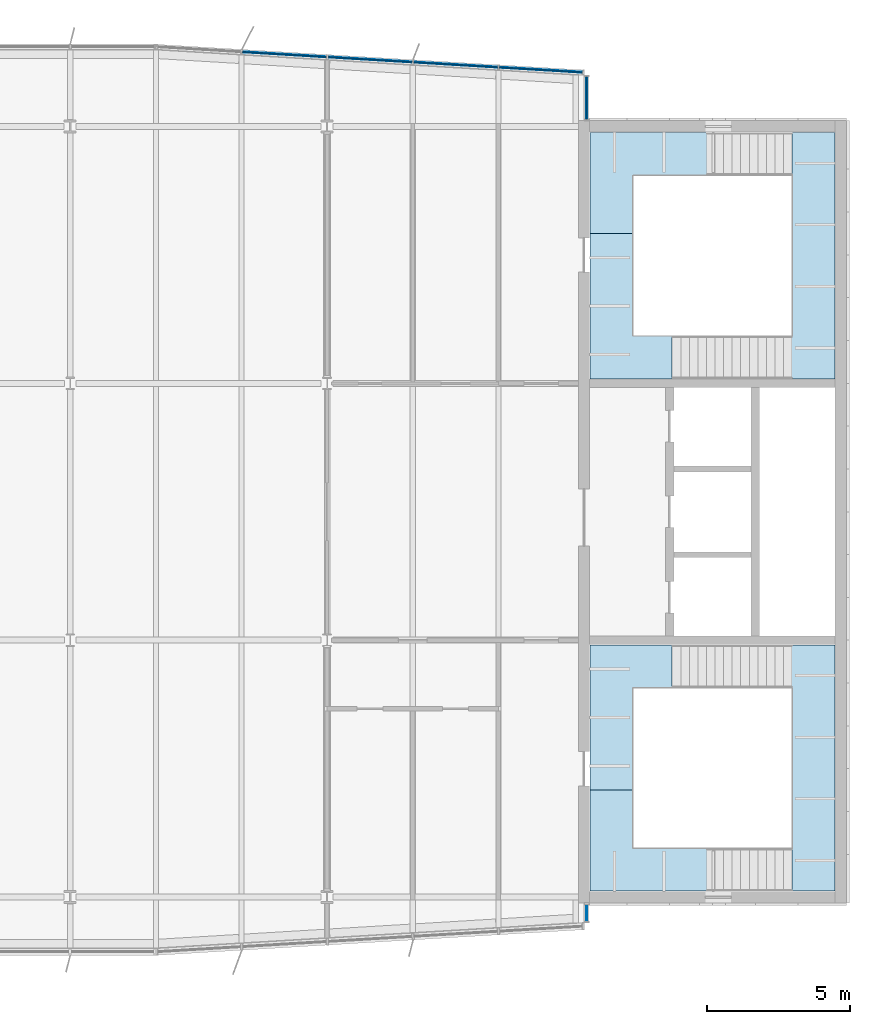
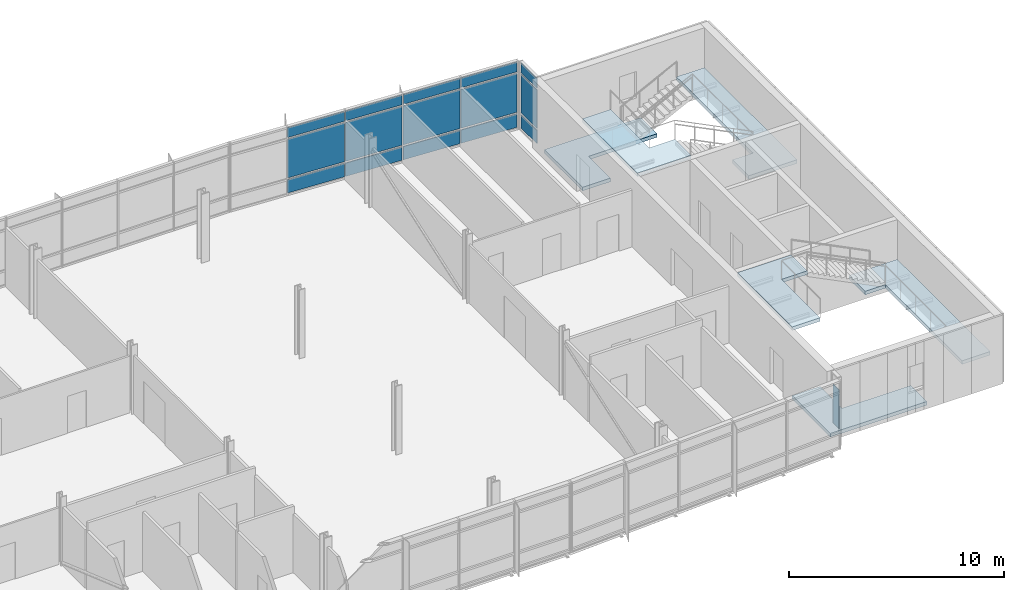
# One storey, part 12 of 20: 16 plates, 6 slabs, 5 elements without a shape of their own.
"""IFC4 building model written with IfcOpenShell, lengths in metres."""

from ifc_helpers import new_model, si_unit, direction, frame, origin, origin_2d, place, context, subcontext, project, spatial, polyline, rectangle, outline, extrude, material, layer, layer_set, type_object, element, aggregate, save


model = new_model("IFC4")

# Units and contexts
model_context = context("Model", 3, precision=1e-05, world=origin(), true_north=direction((0.0, 1.0)))
body_context = subcontext(model_context, "Body", "Model", "MODEL_VIEW")
ifc_project = project(units=[si_unit("LENGTHUNIT", "METRE"), si_unit("AREAUNIT", "SQUARE_METRE"), si_unit("VOLUMEUNIT", "CUBIC_METRE"), si_unit("PLANEANGLEUNIT", "RADIAN"), si_unit("MASSUNIT", "GRAM", prefix="KILO")], contexts=[model_context])

# Site, building, storey
site_placement = place(None, origin())
site = spatial("IfcSite", under=ifc_project, at=site_placement, CompositionType="ELEMENT")
building_placement = place(site_placement, origin())
building = spatial("IfcBuilding", under=site, at=building_placement, Name="Azimuth Sports and Learning Centre", CompositionType="ELEMENT")
storey_placement = place(building_placement, frame((0.0, 0.0, 44.10009765625)))
storey = spatial("IfcBuildingStorey", under=building, at=storey_placement, Name="L09", CompositionType="ELEMENT", Elevation=44.10009765625)

# Stair, slabs
ifc_material_1 = material(Name="Concrete C32/40", Category="concrete")
stair_type = type_object("IfcStairType", Name="Square-well stair core 3900 storey", PredefinedType="THREE_QUARTER_TURN_STAIR", material=ifc_material_1)
stair_1_placement = place(storey_placement, origin())
stair_1 = element("IfcStair", 1, at=stair_1_placement, inside=storey, type_object=stair_type, Name="Stair E1 L09-L10", PredefinedType="THREE_QUARTER_TURN_STAIR")
ifc_material_2 = material(Name="Concrete C32/40", Category="concrete")
ifc_layer_1 = layer(ifc_material_2, 0.199951171875)
ifc_layer_set_1 = layer_set([ifc_layer_1], Name="Concrete C32/40")
slab_type = type_object("IfcSlabType", Name="Concrete stair landing", PredefinedType="LANDING", material=ifc_layer_set_1)
slab_1_placement = place(storey_placement, frame((0.0, 0.0, -0.2001953125)))
slab_1 = element("IfcSlab", 2, at=slab_1_placement, type_object=slab_type, Name="Stair E1 L09 landing 1", PredefinedType="LANDING", context=body_context, shape_type="SweptSolid", body=[
    extrude(outline(polyline([(113.389892578125, 91.7099609375), (109.7099609375, 91.7099609375), (109.7099609375, 93.75), (108.2099609375, 93.75), (108.2099609375, 90.2099609375), (113.389892578125, 90.2099609375), (113.389892578125, 91.7099609375)])), origin(), (0.0, 0.0, 1.0), 0.2001953125),
])
slab_2_placement = place(storey_placement, frame((0.0, 0.0, 1.449951171875)))
slab_2 = element("IfcSlab", 3, at=slab_2_placement, type_object=slab_type, Name="Stair E1 L09 landing 2", PredefinedType="LANDING", context=body_context, shape_type="SweptSolid", body=[
    extrude(outline(polyline([(115.2900390625, 91.7099609375), (115.289306640625, 91.7099609375), (115.289306640625, 90.2099609375), (116.7900390625, 90.2099609375), (116.7900390625, 98.840087890625), (114.18994140625, 98.840087890625), (114.18994140625, 97.340087890625), (115.2900390625, 97.340087890625), (115.2900390625, 91.7099609375)])), origin(), (0.0, 0.0, 1.0), 0.199951171875),
])
slab_3_placement = place(storey_placement, frame((0.0, 0.0, 3.699951171875)))
slab_3 = element("IfcSlab", 4, at=slab_3_placement, type_object=slab_type, Name="Stair E1 L09 landing 3", PredefinedType="LANDING", context=body_context, shape_type="SweptSolid", body=[
    extrude(outline(polyline([(109.7099609375, 97.340087890625), (111.0908203125, 97.340087890625), (111.0908203125, 98.840087890625), (108.2099609375, 98.840087890625), (108.2099609375, 93.75), (109.7099609375, 93.75), (109.7099609375, 97.340087890625)])), origin(), (0.0, 0.0, 1.0), 0.199951171875),
])
aggregate(stair_1, [slab_1, slab_2, slab_3])

stair_2_placement = place(storey_placement, origin())
stair_2 = element("IfcStair", 5, at=stair_2_placement, inside=storey, type_object=stair_type, Name="Stair E2 L09-L10", PredefinedType="THREE_QUARTER_TURN_STAIR")
slab_4_placement = place(storey_placement, frame((0.0, 0.0, -0.2001953125)))
slab_4 = element("IfcSlab", 6, at=slab_4_placement, type_object=slab_type, Name="Stair E2 L09 landing 1", PredefinedType="LANDING", context=body_context, shape_type="SweptSolid", body=[
    extrude(outline(polyline([(108.2099609375, 116.7900390625), (108.2099609375, 113.25), (109.7099609375, 113.25), (109.7099609375, 115.2900390625), (113.389892578125, 115.2900390625), (113.389892578125, 116.7900390625), (108.2099609375, 116.7900390625)])), origin(), (0.0, 0.0, 1.0), 0.2001953125),
])
slab_5_placement = place(storey_placement, frame((0.0, 0.0, 1.449951171875)))
slab_5 = element("IfcSlab", 7, at=slab_5_placement, type_object=slab_type, Name="Stair E2 L09 landing 2", PredefinedType="LANDING", context=body_context, shape_type="SweptSolid", body=[
    extrude(outline(polyline([(115.2900390625, 115.2900390625), (115.2900390625, 109.659912109375), (114.18994140625, 109.659912109375), (114.18994140625, 108.159912109375), (116.7900390625, 108.159912109375), (116.7900390625, 116.7900390625), (115.289306640625, 116.7900390625), (115.289306640625, 115.2900390625), (115.2900390625, 115.2900390625)])), origin(), (0.0, 0.0, 1.0), 0.199951171875),
])
slab_6_placement = place(storey_placement, frame((0.0, 0.0, 3.699951171875)))
slab_6 = element("IfcSlab", 8, at=slab_6_placement, type_object=slab_type, Name="Stair E2 L09 landing 3", PredefinedType="LANDING", context=body_context, shape_type="SweptSolid", body=[
    extrude(outline(polyline([(109.7099609375, 109.659912109375), (109.7099609375, 113.25), (108.2099609375, 113.25), (108.2099609375, 108.159912109375), (111.0908203125, 108.159912109375), (111.0908203125, 109.659912109375), (109.7099609375, 109.659912109375)])), origin(), (0.0, 0.0, 1.0), 0.199951171875),
])
aggregate(stair_2, [slab_4, slab_5, slab_6])

# Curtain wall, plates
ifc_material_3 = material(Name="Aluminium and glass", Category="aluminium")
curtain_wall_type_1 = type_object("IfcCurtainWallType", Name="Curtain wall tower return 180", PredefinedType="NOTDEFINED", material=ifc_material_3)
curtain_wall_1_placement = place(storey_placement, origin())
curtain_wall_1 = element("IfcCurtainWall", 9, at=curtain_wall_1_placement, inside=storey, type_object=curtain_wall_type_1, Name="Curtain wall CW09-006", PredefinedType="NOTDEFINED")
ifc_material_4 = material(Name="Insulated aluminium panel", Category="aluminium")
ifc_layer_2 = layer(ifc_material_4, 0.050048828125)
ifc_layer_set_2 = layer_set([ifc_layer_2], Name="Insulated aluminium panel")
plate_type_1 = type_object("IfcPlateType", Name="Spandrel panel 50 mm", PredefinedType="CURTAIN_PANEL", material=ifc_layer_set_2)
plate_1_placement = place(storey_placement, frame((108.090087890625, 118.0, 0.099853515625), z_axis=(0.0, 0.0, 1.0), x_axis=(0.0, 1.0, 0.0)))
plate_1 = element("IfcPlate", 10, at=plate_1_placement, type_object=plate_type_1, Name="CW09-006 panel 1.1", PredefinedType="CURTAIN_PANEL", context=body_context, shape_type="SweptSolid", body=[
    extrude(rectangle(XDim=1.47998046875, YDim=0.050048828125, at=origin_2d()), origin(), (0.0, 0.0, 1.0), 0.75),
])
plate_2_placement = place(storey_placement, frame((108.090087890625, 118.0, 3.25), z_axis=(0.0, 0.0, 1.0), x_axis=(0.0, 1.0, 0.0)))
plate_2 = element("IfcPlate", 11, at=plate_2_placement, type_object=plate_type_1, Name="CW09-006 panel 1.3", PredefinedType="CURTAIN_PANEL", context=body_context, shape_type="SweptSolid", body=[
    extrude(rectangle(XDim=1.47998046875, YDim=0.050048828125, at=origin_2d()), origin(), (0.0, 0.0, 1.0), 0.550048828125),
])

ifc_material_5 = material(Name="Aluminium and glass", Category="aluminium")
curtain_wall_type_2 = type_object("IfcCurtainWallType", Name="Curtain wall tower north 180", PredefinedType="NOTDEFINED", material=ifc_material_5)
curtain_wall_2_placement = place(storey_placement, origin())
curtain_wall_2 = element("IfcCurtainWall", 12, at=curtain_wall_2_placement, inside=storey, type_object=curtain_wall_type_2, Name="Curtain wall CW09-007", PredefinedType="NOTDEFINED")
plate_3_placement = place(storey_placement, frame((106.490478515625, 118.980712890625, 0.099853515625), z_axis=(0.0, 0.0, 1.0), x_axis=(-0.998204863401, 0.059891991812, 0.0)))
plate_3 = element("IfcPlate", 13, at=plate_3_placement, type_object=plate_type_1, Name="CW09-007 panel 1.1", PredefinedType="CURTAIN_PANEL", context=body_context, shape_type="SweptSolid", body=[
    extrude(rectangle(XDim=2.915283203125, YDim=0.050048828125, at=origin_2d()), origin(), (0.0, 0.0, 1.0), 0.75),
])
plate_4_placement = place(storey_placement, frame((106.490478515625, 118.980712890625, 3.25), z_axis=(0.0, 0.0, 1.0), x_axis=(-0.998204863401, 0.059891991812, 0.0)))
plate_4 = element("IfcPlate", 14, at=plate_4_placement, type_object=plate_type_1, Name="CW09-007 panel 1.3", PredefinedType="CURTAIN_PANEL", context=body_context, shape_type="SweptSolid", body=[
    extrude(rectangle(XDim=2.915283203125, YDim=0.050048828125, at=origin_2d()), origin(), (0.0, 0.0, 1.0), 0.550048828125),
])
plate_5_placement = place(storey_placement, frame((103.50537109375, 119.159912109375, 0.099853515625), z_axis=(0.0, 0.0, 1.0), x_axis=(-0.998204863401, 0.059891991812, 0.0)))
plate_5 = element("IfcPlate", 15, at=plate_5_placement, type_object=plate_type_1, Name="CW09-007 panel 2.1", PredefinedType="CURTAIN_PANEL", context=body_context, shape_type="SweptSolid", body=[
    extrude(rectangle(XDim=2.9453125, YDim=0.050048828125, at=origin_2d()), origin(), (0.0, 0.0, 1.0), 0.75),
])
plate_6_placement = place(storey_placement, frame((103.50537109375, 119.159912109375, 3.25), z_axis=(0.0, 0.0, 1.0), x_axis=(-0.998204863401, 0.059891991812, 0.0)))
plate_6 = element("IfcPlate", 16, at=plate_6_placement, type_object=plate_type_1, Name="CW09-007 panel 2.3", PredefinedType="CURTAIN_PANEL", context=body_context, shape_type="SweptSolid", body=[
    extrude(rectangle(XDim=2.9453125, YDim=0.050048828125, at=origin_2d()), origin(), (0.0, 0.0, 1.0), 0.550048828125),
])
plate_7_placement = place(storey_placement, frame((100.50537109375, 119.33984375, 0.099853515625), z_axis=(0.0, 0.0, 1.0), x_axis=(-0.998204863401, 0.059891991812, 0.0)))
plate_7 = element("IfcPlate", 17, at=plate_7_placement, type_object=plate_type_1, Name="CW09-007 panel 3.1", PredefinedType="CURTAIN_PANEL", context=body_context, shape_type="SweptSolid", body=[
    extrude(rectangle(XDim=2.9453125, YDim=0.050048828125, at=origin_2d()), origin(), (0.0, 0.0, 1.0), 0.75),
])
plate_8_placement = place(storey_placement, frame((100.50537109375, 119.33984375, 3.25), z_axis=(0.0, 0.0, 1.0), x_axis=(-0.998204863401, 0.059891991812, 0.0)))
plate_8 = element("IfcPlate", 18, at=plate_8_placement, type_object=plate_type_1, Name="CW09-007 panel 3.3", PredefinedType="CURTAIN_PANEL", context=body_context, shape_type="SweptSolid", body=[
    extrude(rectangle(XDim=2.9453125, YDim=0.050048828125, at=origin_2d()), origin(), (0.0, 0.0, 1.0), 0.550048828125),
])
plate_9_placement = place(storey_placement, frame((97.50537109375, 119.519775390625, 0.099853515625), z_axis=(0.0, 0.0, 1.0), x_axis=(-0.998204863401, 0.059891991812, 0.0)))
plate_9 = element("IfcPlate", 19, at=plate_9_placement, type_object=plate_type_1, Name="CW09-007 panel 4.1", PredefinedType="CURTAIN_PANEL", context=body_context, shape_type="SweptSolid", body=[
    extrude(rectangle(XDim=2.9453125, YDim=0.050048828125, at=origin_2d()), origin(), (0.0, 0.0, 1.0), 0.75),
])
plate_10_placement = place(storey_placement, frame((97.50537109375, 119.519775390625, 3.25), z_axis=(0.0, 0.0, 1.0), x_axis=(-0.998204863401, 0.059891991812, 0.0)))
plate_10 = element("IfcPlate", 20, at=plate_10_placement, type_object=plate_type_1, Name="CW09-007 panel 4.3", PredefinedType="CURTAIN_PANEL", context=body_context, shape_type="SweptSolid", body=[
    extrude(rectangle(XDim=2.9453125, YDim=0.050048828125, at=origin_2d()), origin(), (0.0, 0.0, 1.0), 0.550048828125),
])

# Curtain wall, plate
curtain_wall_3_placement = place(storey_placement, origin())
curtain_wall_3 = element("IfcCurtainWall", 21, at=curtain_wall_3_placement, inside=storey, type_object=curtain_wall_type_1, Name="Curtain wall CW09-005", PredefinedType="NOTDEFINED")
ifc_material_6 = material(Name="Glass", Category="glass")
ifc_layer_3 = layer(ifc_material_6, 0.031982421875)
ifc_layer_set_3 = layer_set([ifc_layer_3], Name="Glass")
plate_type_2 = type_object("IfcPlateType", Name="Vision glass 32 mm", PredefinedType="CURTAIN_PANEL", material=ifc_layer_set_3)
plate_11_placement = place(storey_placement, frame((108.090087890625, 89.449951171875, 0.94970703125), z_axis=(0.0, 0.0, 1.0), x_axis=(0.0, 1.0, 0.0)))
plate_11 = element("IfcPlate", 22, at=plate_11_placement, type_object=plate_type_2, Name="CW09-005 panel 1.2", PredefinedType="CURTAIN_PANEL", context=body_context, shape_type="SweptSolid", body=[
    extrude(rectangle(XDim=0.580078125, YDim=0.031982421875, at=origin_2d()), origin(), (0.0, 0.0, 1.0), 2.199951171875),
])
aggregate(curtain_wall_3, [plate_11])

# Plate
plate_12_placement = place(storey_placement, frame((108.090087890625, 118.0, 0.94970703125), z_axis=(0.0, 0.0, 1.0), x_axis=(0.0, 1.0, 0.0)))
plate_12 = element("IfcPlate", 23, at=plate_12_placement, type_object=plate_type_2, Name="CW09-006 panel 1.2", PredefinedType="CURTAIN_PANEL", context=body_context, shape_type="SweptSolid", body=[
    extrude(rectangle(XDim=1.47998046875, YDim=0.031982421875, at=origin_2d()), origin(), (0.0, 0.0, 1.0), 2.199951171875),
])

aggregate(curtain_wall_1, [plate_1, plate_12, plate_2])

plate_13_placement = place(storey_placement, frame((106.490478515625, 118.980712890625, 0.94970703125), z_axis=(0.0, 0.0, 1.0), x_axis=(-0.998204863401, 0.059891991812, 0.0)))
plate_13 = element("IfcPlate", 24, at=plate_13_placement, type_object=plate_type_2, Name="CW09-007 panel 1.2", PredefinedType="CURTAIN_PANEL", context=body_context, shape_type="SweptSolid", body=[
    extrude(rectangle(XDim=2.915283203125, YDim=0.031982421875, at=origin_2d()), origin(), (0.0, 0.0, 1.0), 2.199951171875),
])

plate_14_placement = place(storey_placement, frame((103.50537109375, 119.159912109375, 0.94970703125), z_axis=(0.0, 0.0, 1.0), x_axis=(-0.998204863401, 0.059891991812, 0.0)))
plate_14 = element("IfcPlate", 25, at=plate_14_placement, type_object=plate_type_2, Name="CW09-007 panel 2.2", PredefinedType="CURTAIN_PANEL", context=body_context, shape_type="SweptSolid", body=[
    extrude(rectangle(XDim=2.9453125, YDim=0.031982421875, at=origin_2d()), origin(), (0.0, 0.0, 1.0), 2.199951171875),
])

plate_15_placement = place(storey_placement, frame((100.50537109375, 119.33984375, 0.94970703125), z_axis=(0.0, 0.0, 1.0), x_axis=(-0.998204863401, 0.059891991812, 0.0)))
plate_15 = element("IfcPlate", 26, at=plate_15_placement, type_object=plate_type_2, Name="CW09-007 panel 3.2", PredefinedType="CURTAIN_PANEL", context=body_context, shape_type="SweptSolid", body=[
    extrude(rectangle(XDim=2.9453125, YDim=0.031982421875, at=origin_2d()), origin(), (0.0, 0.0, 1.0), 2.199951171875),
])

plate_16_placement = place(storey_placement, frame((97.50537109375, 119.519775390625, 0.94970703125), z_axis=(0.0, 0.0, 1.0), x_axis=(-0.998204863401, 0.059891991812, 0.0)))
plate_16 = element("IfcPlate", 27, at=plate_16_placement, type_object=plate_type_2, Name="CW09-007 panel 4.2", PredefinedType="CURTAIN_PANEL", context=body_context, shape_type="SweptSolid", body=[
    extrude(rectangle(XDim=2.9453125, YDim=0.031982421875, at=origin_2d()), origin(), (0.0, 0.0, 1.0), 2.199951171875),
])

aggregate(curtain_wall_2, [plate_3, plate_13, plate_4, plate_5, plate_14, plate_6, plate_7, plate_15, plate_8, plate_9, plate_16, plate_10])

save(model, "model.ifc")
